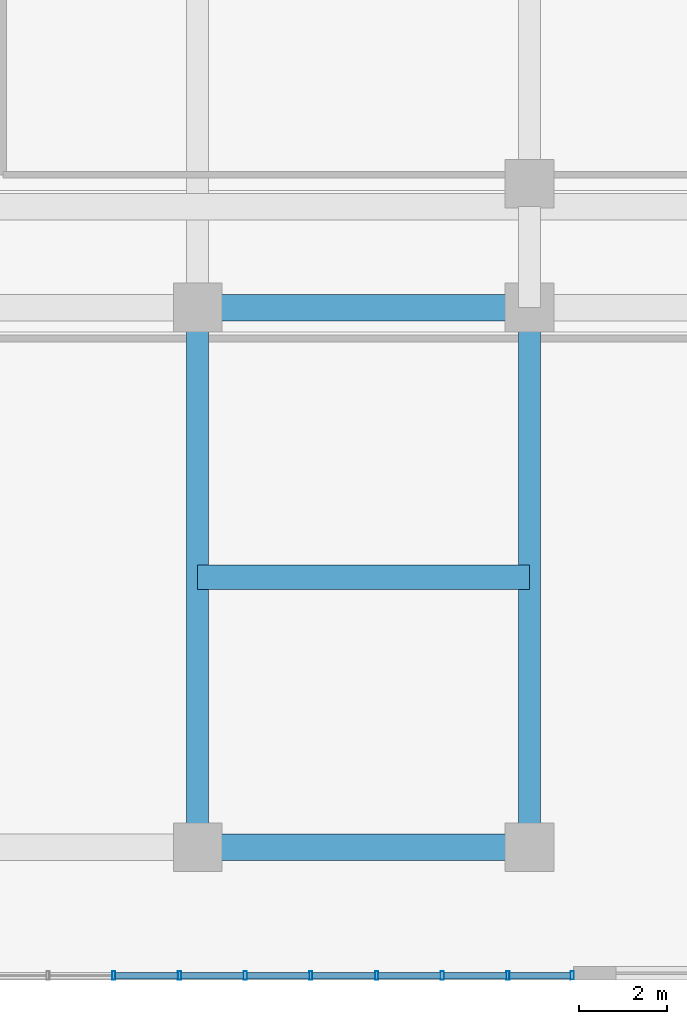
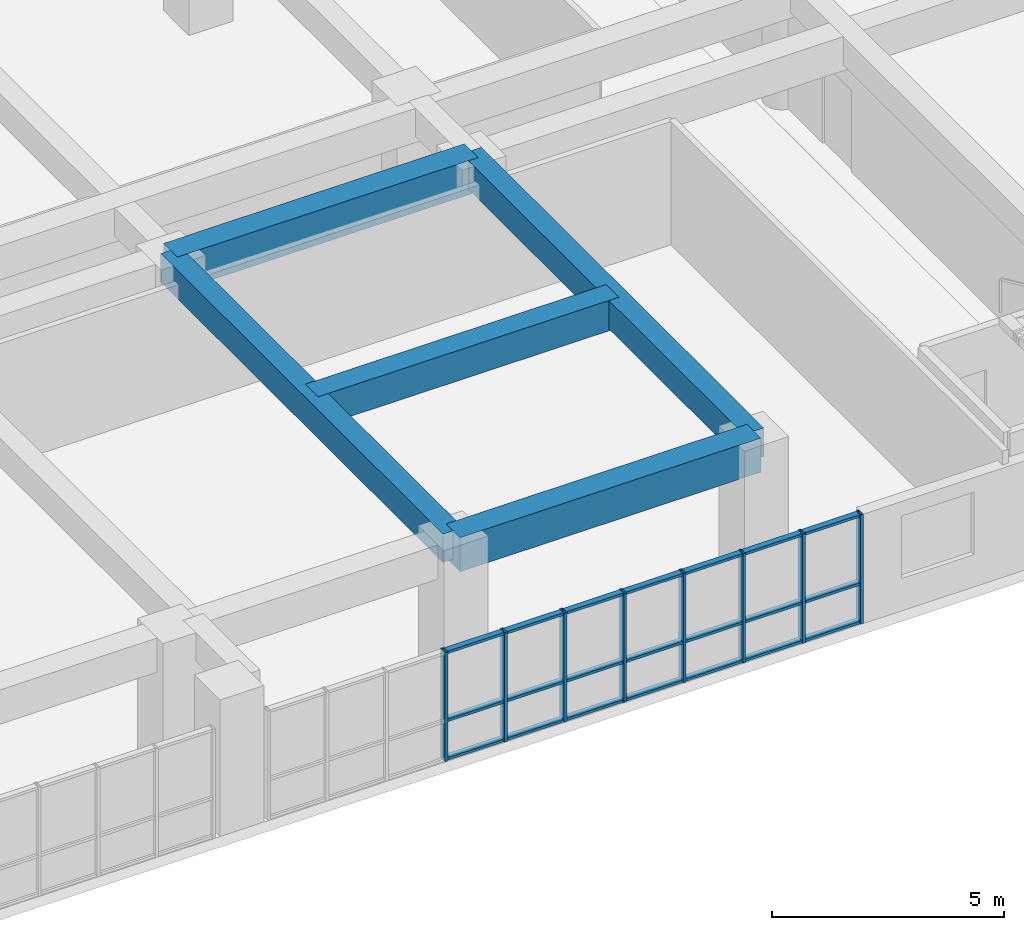
# One storey, part 8 of 30: 29 members, 5 beams, 1 element without a shape of its own.
"""IFC4 building model written with IfcOpenShell, lengths in metres."""

import ifcopenshell
import ifcopenshell.guid

model = None  # the IFC model being written
_history = None  # IfcOwnerHistory: only IFC2X3 demands one
_inside = {}  # id of a spatial element -> (the spatial element, [elements in it])
_under = {}  # id of a project, library or spatial element -> (it, [spatial elements below it])
_declared = {}  # id of a project -> (the project, [libraries it declares])
_typed = {}  # id of a type object -> (the type object, [elements of that type])
_made_of = {}  # id of a material, layer set ... -> (it, [elements and type objects made of it])


def new_model(schema):
    """Start an empty IFC model of exactly this schema.

    Asked for "IFC4X3", IfcOpenShell would pick the latest addendum, in which some entities
    have other attributes; the version numbers below select the first issue.
    IFC2X3 requires an IfcOwnerHistory on every rooted entity: one is made here for all.
    """
    global model, _history
    if schema == "IFC4X3":
        model = ifcopenshell.file(schema_version=(4, 3, 0, 0))
    else:
        model = ifcopenshell.file(schema=schema)
    _inside.clear()
    _under.clear()
    _declared.clear()
    _typed.clear()
    _made_of.clear()
    _history = None
    if model.schema == "IFC2X3":
        org = make("IfcOrganization", Name="unknown")
        user = make(
            "IfcPersonAndOrganization",
            ThePerson=make("IfcPerson", FamilyName="unknown"),
            TheOrganization=org,
        )
        app = make(
            "IfcApplication",
            ApplicationDeveloper=org,
            Version="unknown",
            ApplicationFullName="unknown",
            ApplicationIdentifier="unknown",
        )
        _history = make(
            "IfcOwnerHistory",
            OwningUser=user,
            OwningApplication=app,
            ChangeAction="ADDED",
            CreationDate=0,
        )
    return model


def make(cls, **values):
    """One entity of the class cls with the attributes given. An attribute that is None is left unset."""
    return model.create_entity(
        cls, **{name: value for name, value in values.items() if value is not None}
    )


def rooted(cls, **values):
    """An entity with a GlobalId (a new one), such as an element, a storey or a relation."""
    return make(cls, GlobalId=ifcopenshell.guid.new(), OwnerHistory=_history, **values)


def si_unit(unit_type, name, prefix=None):
    """IfcSIUnit, for example si_unit("LENGTHUNIT", "METRE", prefix="MILLI")."""
    return make("IfcSIUnit", UnitType=unit_type, Prefix=prefix, Name=name)


def assignment(units):
    """IfcUnitAssignment: the units of a project."""
    return None if units is None else make("IfcUnitAssignment", Units=units)


def point(xyz):
    """IfcCartesianPoint."""
    return None if xyz is None else make("IfcCartesianPoint", Coordinates=xyz)


def direction(xyz):
    """IfcDirection."""
    return None if xyz is None else make("IfcDirection", DirectionRatios=xyz)


def frame(location, z_axis=None, x_axis=None):
    """IfcAxis2Placement3D, a coordinate frame: its origin and axes. An axis left out is left unset."""
    return make(
        "IfcAxis2Placement3D",
        Location=point(location),
        Axis=direction(z_axis),
        RefDirection=direction(x_axis),
    )


def frame_2d(location, x_axis=None):
    """IfcAxis2Placement2D, a coordinate frame in the plane: its origin and x axis."""
    return make(
        "IfcAxis2Placement2D", Location=point(location), RefDirection=direction(x_axis)
    )


def origin():
    """The frame at (0, 0, 0) with its axes left unset."""
    return frame((0.0, 0.0, 0.0))


def origin_2d():
    """The frame at (0, 0) in the plane with its x axis left unset."""
    return frame_2d((0.0, 0.0))


def place(relative_to, where):
    """IfcLocalPlacement: puts the frame where relative to a parent placement (None: the world)."""
    return make(
        "IfcLocalPlacement", PlacementRelTo=relative_to, RelativePlacement=where
    )


def context(
    kind, dimensions, precision=None, world=None, true_north=None, identifier=None
):
    """IfcGeometricRepresentationContext, for example the 3D "Model" context."""
    return make(
        "IfcGeometricRepresentationContext",
        ContextIdentifier=identifier,
        ContextType=kind,
        CoordinateSpaceDimension=dimensions,
        Precision=precision,
        WorldCoordinateSystem=world,
        TrueNorth=true_north,
    )


def subcontext(parent, identifier, kind, view, scale=None):
    """IfcGeometricRepresentationSubContext, for example "Body" below "Model"."""
    return make(
        "IfcGeometricRepresentationSubContext",
        ContextIdentifier=identifier,
        ContextType=kind,
        ParentContext=parent,
        TargetScale=scale,
        TargetView=view,
    )


def project(units=None, contexts=None):
    """IfcProject with its units and contexts."""
    return rooted(
        "IfcProject",
        Name="project",
        RepresentationContexts=contexts,
        UnitsInContext=assignment(units),
    )


def spatial(cls, under=None, at=None, **own):
    """A site, building, storey or space (cls), placed at a placement, below another one or the project."""
    s = rooted(cls, ObjectPlacement=at, **own)
    if under is not None:
        _under.setdefault(under.id(), (under, []))[1].append(s)
    return s


def profile(cls, at=None, kind="AREA", **sizes):
    """A parametric profile (cls). Its sizes go by their IFC names, for example OverallWidth=200.0."""
    return make(cls, ProfileType=kind, Position=at, **sizes)


def rectangle(**sizes):
    """IfcRectangleProfileDef."""
    return profile("IfcRectangleProfileDef", **sizes)


def hollow_rectangle(**sizes):
    """IfcRectangleHollowProfileDef."""
    return profile("IfcRectangleHollowProfileDef", **sizes)


def extrude(swept, where, along, depth):
    """IfcExtrudedAreaSolid: the profile swept, set in the frame where, extruded along a direction by depth."""
    return make(
        "IfcExtrudedAreaSolid",
        SweptArea=swept,
        Position=where,
        ExtrudedDirection=direction(along),
        Depth=depth,
    )


def shape(context_of_items, identifier, shape_type, items):
    """IfcShapeRepresentation: the items that make up one representation, for example the "Body"."""
    return make(
        "IfcShapeRepresentation",
        ContextOfItems=context_of_items,
        RepresentationIdentifier=identifier,
        RepresentationType=shape_type,
        Items=items,
    )


def source(mapping_origin, context_of_items, identifier, shape_type, items):
    """IfcRepresentationMap: a shape defined once, which mapped items show again and again."""
    return make(
        "IfcRepresentationMap",
        MappingOrigin=mapping_origin,
        MappedRepresentation=shape(context_of_items, identifier, shape_type, items),
    )


def transform(
    local_origin,
    x_axis=None,
    y_axis=None,
    z_axis=None,
    scale=None,
    scale2=None,
    scale3=None,
    uniform=True,
):
    """IfcCartesianTransformationOperator3D, or its non-uniform kind. x_axis, y_axis, z_axis: its Axis1, 2, 3."""
    if uniform:
        return make(
            "IfcCartesianTransformationOperator3D",
            Axis1=direction(x_axis),
            Axis2=direction(y_axis),
            LocalOrigin=point(local_origin),
            Scale=scale,
            Axis3=direction(z_axis),
        )
    return make(
        "IfcCartesianTransformationOperator3DnonUniform",
        Axis1=direction(x_axis),
        Axis2=direction(y_axis),
        LocalOrigin=point(local_origin),
        Scale=scale,
        Axis3=direction(z_axis),
        Scale2=scale2,
        Scale3=scale3,
    )


def mapped(mapping_source, mapping_target):
    """IfcMappedItem: shows the shape of a source again, moved by a transform."""
    return make(
        "IfcMappedItem", MappingSource=mapping_source, MappingTarget=mapping_target
    )


def material(Name=None, Category=None):
    """IfcMaterial."""
    return make("IfcMaterial", Name=Name, Category=Category)


def layer(
    of_material, thickness, ventilated=None, Name=None, Category=None, Priority=None
):
    """IfcMaterialLayer: one layer of a wall or slab, of a material (None: an air gap)."""
    return make(
        "IfcMaterialLayer",
        Material=of_material,
        LayerThickness=thickness,
        IsVentilated=ventilated,
        Name=Name,
        Category=Category,
        Priority=Priority,
    )


def layer_set(layers, Name=None):
    """IfcMaterialLayerSet."""
    return make("IfcMaterialLayerSet", MaterialLayers=layers, LayerSetName=Name)


def material_profile(
    of_material, cross_section, Name=None, Category=None, Priority=None
):
    """IfcMaterialProfile: a cross section and its material."""
    return make(
        "IfcMaterialProfile",
        Name=Name,
        Material=of_material,
        Profile=cross_section,
        Priority=Priority,
        Category=Category,
    )


def profile_set(profiles, Name=None, composite=None):
    """IfcMaterialProfileSet."""
    return make(
        "IfcMaterialProfileSet",
        Name=Name,
        MaterialProfiles=profiles,
        CompositeProfile=composite,
    )


def made_of(thing, what):
    """Note that an element or type object is made of a material, layer set ...; save() writes the relation."""
    if what is not None:
        _made_of.setdefault(what.id(), (what, []))[1].append(thing)
    return thing


def type_object(cls, material=None, **own):
    """A type object (cls), such as IfcWallType, which elements share."""
    return made_of(rooted(cls, **own), material)


def element(
    cls,
    number,
    at=None,
    inside=None,
    cuts=None,
    type_object=None,
    material=None,
    context=None,
    identifier="Body",
    shape_type=None,
    held_by="IfcProductDefinitionShape",
    body=None,
    shapes=None,
    **own,
):
    """One element of the class cls, such as IfcWall. Its Tag is "e" and its number.

    at: its placement. inside: the storey or other place that contains it. cuts: it is an
    opening in that element (IfcRelVoidsElement). A single representation is given by context,
    identifier, shape_type and body (its items); several are given by shapes. held_by: the class
    of the entity that holds the representations. save() writes the other relations.
    """
    e = rooted(cls, Tag="e%d" % number, ObjectPlacement=at, **own)
    if body is not None:
        shapes = [shape(context, identifier, shape_type, body)]
    if shapes is not None:
        e.Representation = make(held_by, Representations=shapes)
    if inside is not None:
        _inside.setdefault(inside.id(), (inside, []))[1].append(e)
    if cuts is not None:
        rooted(
            "IfcRelVoidsElement", RelatingBuildingElement=cuts, RelatedOpeningElement=e
        )
    if type_object is not None:
        _typed.setdefault(type_object.id(), (type_object, []))[1].append(e)
    return made_of(e, material)


def aggregate(whole, parts):
    """IfcRelAggregates: a whole, such as a stair, and the parts it consists of."""
    return rooted("IfcRelAggregates", RelatingObject=whole, RelatedObjects=parts)


def save(model, path):
    """Write the relations noted so far, then the file.

    IfcRelAggregates (storeys below a building ...), IfcRelContainedInSpatialStructure (elements
    in a storey), IfcRelDefinesByType, IfcRelAssociatesMaterial and IfcRelDeclares: one each for
    every whole, place, type object, material and project.
    """
    for whole, parts in _under.values():
        aggregate(whole, parts)
    for where, things in _inside.values():
        rooted(
            "IfcRelContainedInSpatialStructure",
            RelatedElements=things,
            RelatingStructure=where,
        )
    for kind, things in _typed.values():
        rooted("IfcRelDefinesByType", RelatedObjects=things, RelatingType=kind)
    for what, things in _made_of.values():
        rooted("IfcRelAssociatesMaterial", RelatedObjects=things, RelatingMaterial=what)
    for by, libraries in _declared.values():
        rooted("IfcRelDeclares", RelatingContext=by, RelatedDefinitions=libraries)
    model.write(path)


model = new_model("IFC4")

# Units and contexts
model_context = context("Model", 3, precision=1e-05, world=origin(), true_north=direction((0.0, 1.0)))
body_context = subcontext(model_context, "Body", "Model", "MODEL_VIEW")
ifc_project = project(units=[si_unit("LENGTHUNIT", "METRE"), si_unit("AREAUNIT", "SQUARE_METRE"), si_unit("VOLUMEUNIT", "CUBIC_METRE"), si_unit("PLANEANGLEUNIT", "RADIAN"), si_unit("MASSUNIT", "GRAM", prefix="KILO")], contexts=[model_context])

# Site, building, storey
site_placement = place(None, origin())
site = spatial("IfcSite", under=ifc_project, at=site_placement, CompositionType="ELEMENT")
building_placement = place(site_placement, origin())
building = spatial("IfcBuilding", under=site, at=building_placement, Name="Saelheon Loggia Tower", CompositionType="ELEMENT")
storey_placement = place(building_placement, frame((0.0, 0.0, 11.39990234375)))
storey = spatial("IfcBuildingStorey", under=building, at=storey_placement, Name="L03", CompositionType="ELEMENT", Elevation=11.39990234375)

# Beams
ifc_material_1 = material(Name="Concrete C50/60", Category="concrete")
ifc_material_profile_1 = material_profile(ifc_material_1, rectangle(XDim=0.60009765625, YDim=0.89990234375, at=origin_2d()), Name="RC-600x900")
ifc_profile_set_1 = profile_set([ifc_material_profile_1], Name="Concrete C50/60")
beam_type_1 = type_object("IfcBeamType", Name="Beam_MainGirder_RC600x900", PredefinedType="BEAM", material=ifc_profile_set_1)
shared_shape_1 = source(origin(), body_context, "Body", "SweptSolid", [
    extrude(rectangle(XDim=0.60009765625, YDim=0.89990234375, at=origin_2d()), origin(), (0.0, 0.0, 1.0), 7.5),
])
for number, where, z_axis, x_axis, name in (
    (1, (51.5, 3.0, 3.150146484375), (1.0, 0.0, 0.0), (0.0, 1.0, 0.0), "BM-L03-EW-3-7"),
    (2, (51.5, 15.199951171875, 3.150146484375), (1.0, 0.0, 0.0), (0.0, 1.0, 0.0), "BM-L03-EW-15-7"),
):
    element("IfcBeam", number, at=place(storey_placement, frame(where, z_axis=z_axis, x_axis=x_axis)), inside=storey, type_object=beam_type_1, Name=name, PredefinedType="BEAM", context=body_context, shape_type="MappedRepresentation", body=[
        mapped(shared_shape_1, transform((0.0, 0.0, 0.0), scale=1.0)),
    ])
ifc_material_2 = material(Name="Concrete C45/55", Category="concrete")
ifc_material_profile_2 = material_profile(ifc_material_2, rectangle(XDim=0.5, YDim=0.75, at=origin_2d()), Name="RC-500x750")
ifc_profile_set_2 = profile_set([ifc_material_profile_2], Name="Concrete C45/55")
beam_type_2 = type_object("IfcBeamType", Name="Beam_FloorGirder_RC500x750", PredefinedType="BEAM", material=ifc_profile_set_2)
shared_shape_2 = source(origin(), body_context, "Body", "SweptSolid", [
    extrude(rectangle(XDim=0.5, YDim=0.75, at=origin_2d()), origin(), (0.0, 0.0, 1.0), 12.199951171875),
])
for number, where, z_axis, x_axis, name in (
    (3, (51.5, 3.0, 3.22509765625), (0.0, 1.0, 0.0), (-1.0, 0.0, 0.0), "BM-L03-NS-51-1"),
    (4, (59.0, 3.0, 3.22509765625), (0.0, 1.0, 0.0), (-1.0, 0.0, 0.0), "BM-L03-NS-59-1"),
):
    element("IfcBeam", number, at=place(storey_placement, frame(where, z_axis=z_axis, x_axis=x_axis)), inside=storey, type_object=beam_type_2, Name=name, PredefinedType="BEAM", context=body_context, shape_type="MappedRepresentation", body=[
        mapped(shared_shape_2, transform((0.0, 0.0, 0.0), scale=1.0)),
    ])
ifc_material_profile_3 = material_profile(ifc_material_2, rectangle(XDim=0.550048828125, YDim=0.800048828125, at=origin_2d()), Name="RC-550x800")
ifc_profile_set_3 = profile_set([ifc_material_profile_3], Name="Concrete C45/55")
beam_type_3 = type_object("IfcBeamType", Name="Beam_ClinicGirder_RC550x800", PredefinedType="BEAM", material=ifc_profile_set_3)
shared_shape_3 = source(origin(), body_context, "Body", "SweptSolid", [
    extrude(rectangle(XDim=0.550048828125, YDim=0.800048828125, at=origin_2d()), origin(), (0.0, 0.0, 1.0), 7.5),
])
beam_placement = place(storey_placement, frame((51.5, 9.10009765625, 3.2001953125), z_axis=(1.0, 0.0, 0.0), x_axis=(0.0, 1.0, 0.0)))
element("IfcBeam", 5, at=beam_placement, inside=storey, type_object=beam_type_3, Name="JST-L03-CL-SE", PredefinedType="BEAM", context=body_context, shape_type="MappedRepresentation", body=[
    mapped(shared_shape_3, transform((0.0, 0.0, 0.0), scale=1.0)),
])

# Curtain wall, members
ifc_material_3 = material(Name="Aluminium 6063-T6 and Low-E IGU", Category="aluminium")
ifc_layer = layer(ifc_material_3, 0.179931640625)
ifc_layer_set = layer_set([ifc_layer], Name="Aluminium 6063-T6 and Low-E IGU")
curtain_wall_type = type_object("IfcCurtainWallType", Name="CW_PodiumClinic", PredefinedType="NOTDEFINED", material=ifc_layer_set)
curtain_wall_placement = place(storey_placement, origin())
curtain_wall = element("IfcCurtainWall", 6, at=curtain_wall_placement, inside=storey, type_object=curtain_wall_type, Name="L03 South Clinic Curtain Wall 3", PredefinedType="NOTDEFINED")
ifc_material_4 = material(Name="Anodised Aluminium 6063-T6", Category="aluminium")
ifc_material_profile_4 = material_profile(ifc_material_4, hollow_rectangle(XDim=0.070068359375, YDim=0.199951171875, WallThickness=0.0048828125, at=origin_2d()), Name="RHS-200x70x5")
ifc_profile_set_4 = profile_set([ifc_material_profile_4], Name="Anodised Aluminium 6063-T6")
member_type_1 = type_object("IfcMemberType", Name="CW_PodiumClinic_Mullion", PredefinedType="MULLION", material=ifc_profile_set_4)
shared_shape_4 = source(origin(), body_context, "Body", "SweptSolid", [
    extrude(hollow_rectangle(XDim=0.070068359375, YDim=0.199951171875, WallThickness=0.0048828125, at=origin_2d()), origin(), (0.0, 0.0, 1.0), 2.880126953125),
])
member_1_placement = place(storey_placement, frame((49.60498046875, 0.10009765625, 0.0), z_axis=(0.0, 0.0, 1.0), x_axis=(1.0, 0.0, 0.0)))
member_1 = element("IfcMember", 7, at=member_1_placement, type_object=member_type_1, Name="CW1 mullion 4", PredefinedType="MULLION", context=body_context, shape_type="MappedRepresentation", body=[
    mapped(shared_shape_4, transform((0.0, 0.0, 0.0), scale=1.0)),
])
member_2_placement = place(storey_placement, frame((51.090087890625, 0.10009765625, 0.0), z_axis=(0.0, 0.0, 1.0), x_axis=(1.0, 0.0, 0.0)))
member_2 = element("IfcMember", 8, at=member_2_placement, type_object=member_type_1, Name="CW1 mullion 5", PredefinedType="MULLION", context=body_context, shape_type="MappedRepresentation", body=[
    mapped(shared_shape_4, transform((0.0, 0.0, 0.0), scale=1.0)),
])
member_3_placement = place(storey_placement, frame((52.574951171875, 0.10009765625, 0.0), z_axis=(0.0, 0.0, 1.0), x_axis=(1.0, 0.0, 0.0)))
member_3 = element("IfcMember", 9, at=member_3_placement, type_object=member_type_1, Name="CW1 mullion 6", PredefinedType="MULLION", context=body_context, shape_type="MappedRepresentation", body=[
    mapped(shared_shape_4, transform((0.0, 0.0, 0.0), scale=1.0)),
])
member_4_placement = place(storey_placement, frame((54.06005859375, 0.10009765625, 0.0), z_axis=(0.0, 0.0, 1.0), x_axis=(1.0, 0.0, 0.0)))
member_4 = element("IfcMember", 10, at=member_4_placement, type_object=member_type_1, Name="CW1 mullion 7", PredefinedType="MULLION", context=body_context, shape_type="MappedRepresentation", body=[
    mapped(shared_shape_4, transform((0.0, 0.0, 0.0), scale=1.0)),
])
member_5_placement = place(storey_placement, frame((55.544921875, 0.10009765625, 0.0), z_axis=(0.0, 0.0, 1.0), x_axis=(1.0, 0.0, 0.0)))
member_5 = element("IfcMember", 11, at=member_5_placement, type_object=member_type_1, Name="CW1 mullion 8", PredefinedType="MULLION", context=body_context, shape_type="MappedRepresentation", body=[
    mapped(shared_shape_4, transform((0.0, 0.0, 0.0), scale=1.0)),
])
member_6_placement = place(storey_placement, frame((57.030029296875, 0.10009765625, 0.0), z_axis=(0.0, 0.0, 1.0), x_axis=(1.0, 0.0, 0.0)))
member_6 = element("IfcMember", 12, at=member_6_placement, type_object=member_type_1, Name="CW1 mullion 9", PredefinedType="MULLION", context=body_context, shape_type="MappedRepresentation", body=[
    mapped(shared_shape_4, transform((0.0, 0.0, 0.0), scale=1.0)),
])
member_7_placement = place(storey_placement, frame((58.514892578125, 0.10009765625, 0.0), z_axis=(0.0, 0.0, 1.0), x_axis=(1.0, 0.0, 0.0)))
member_7 = element("IfcMember", 13, at=member_7_placement, type_object=member_type_1, Name="CW1 mullion 10", PredefinedType="MULLION", context=body_context, shape_type="MappedRepresentation", body=[
    mapped(shared_shape_4, transform((0.0, 0.0, 0.0), scale=1.0)),
])
member_8_placement = place(storey_placement, frame((59.965087890625, 0.10009765625, 0.0), z_axis=(0.0, 0.0, 1.0), x_axis=(1.0, 0.0, 0.0)))
member_8 = element("IfcMember", 14, at=member_8_placement, type_object=member_type_1, Name="CW1 mullion 11", PredefinedType="MULLION", context=body_context, shape_type="MappedRepresentation", body=[
    mapped(shared_shape_4, transform((0.0, 0.0, 0.0), scale=1.0)),
])
ifc_material_profile_5 = material_profile(ifc_material_4, hollow_rectangle(XDim=0.070068359375, YDim=0.14990234375, WallThickness=0.0048828125, at=origin_2d()), Name="RHS-150x70x5")
ifc_profile_set_5 = profile_set([ifc_material_profile_5], Name="Anodised Aluminium 6063-T6")
member_type_2 = type_object("IfcMemberType", Name="CW_PodiumClinic_Transom", PredefinedType="USERDEFINED", material=ifc_profile_set_5)
shared_shape_5 = source(origin(), body_context, "Body", "SweptSolid", [
    extrude(hollow_rectangle(XDim=0.070068359375, YDim=0.14990234375, WallThickness=0.0048828125, at=origin_2d()), origin(), (0.0, 0.0, 1.0), 1.3798828125),
])
member_9_placement = place(storey_placement, frame((58.550048828125, 0.10009765625, 0.03515625), z_axis=(1.0, 0.0, 0.0), x_axis=(0.0, 0.0, 1.0)))
member_9 = element("IfcMember", 15, at=member_9_placement, type_object=member_type_2, Name="CW1 transom 10.1", ObjectType="TRANSOM", PredefinedType="USERDEFINED", context=body_context, shape_type="MappedRepresentation", body=[
    mapped(shared_shape_5, transform((0.0, 0.0, 0.0), scale=1.0)),
])
member_10_placement = place(storey_placement, frame((58.550048828125, 0.10009765625, 1.050048828125), z_axis=(1.0, 0.0, 0.0), x_axis=(0.0, 0.0, 1.0)))
member_10 = element("IfcMember", 16, at=member_10_placement, type_object=member_type_2, Name="CW1 transom 10.2", ObjectType="TRANSOM", PredefinedType="USERDEFINED", context=body_context, shape_type="MappedRepresentation", body=[
    mapped(shared_shape_5, transform((0.0, 0.0, 0.0), scale=1.0)),
])
member_11_placement = place(storey_placement, frame((58.550048828125, 0.10009765625, 2.84521484375), z_axis=(1.0, 0.0, 0.0), x_axis=(0.0, 0.0, 1.0)))
member_11 = element("IfcMember", 17, at=member_11_placement, type_object=member_type_2, Name="CW1 transom 10.3", ObjectType="TRANSOM", PredefinedType="USERDEFINED", context=body_context, shape_type="MappedRepresentation", body=[
    mapped(shared_shape_5, transform((0.0, 0.0, 0.0), scale=1.0)),
])
shared_shape_6 = source(origin(), body_context, "Body", "SweptSolid", [
    extrude(hollow_rectangle(XDim=0.070068359375, YDim=0.14990234375, WallThickness=0.0048828125, at=origin_2d()), origin(), (0.0, 0.0, 1.0), 1.4150390625),
])
member_12_placement = place(storey_placement, frame((49.639892578125, 0.10009765625, 0.03515625), z_axis=(1.0, 0.0, 0.0), x_axis=(0.0, 0.0, 1.0)))
member_12 = element("IfcMember", 18, at=member_12_placement, type_object=member_type_2, Name="CW1 transom 4.1", ObjectType="TRANSOM", PredefinedType="USERDEFINED", context=body_context, shape_type="MappedRepresentation", body=[
    mapped(shared_shape_6, transform((0.0, 0.0, 0.0), scale=1.0)),
])
member_13_placement = place(storey_placement, frame((49.639892578125, 0.10009765625, 1.050048828125), z_axis=(1.0, 0.0, 0.0), x_axis=(0.0, 0.0, 1.0)))
member_13 = element("IfcMember", 19, at=member_13_placement, type_object=member_type_2, Name="CW1 transom 4.2", ObjectType="TRANSOM", PredefinedType="USERDEFINED", context=body_context, shape_type="MappedRepresentation", body=[
    mapped(shared_shape_6, transform((0.0, 0.0, 0.0), scale=1.0)),
])
member_14_placement = place(storey_placement, frame((49.639892578125, 0.10009765625, 2.84521484375), z_axis=(1.0, 0.0, 0.0), x_axis=(0.0, 0.0, 1.0)))
member_14 = element("IfcMember", 20, at=member_14_placement, type_object=member_type_2, Name="CW1 transom 4.3", ObjectType="TRANSOM", PredefinedType="USERDEFINED", context=body_context, shape_type="MappedRepresentation", body=[
    mapped(shared_shape_6, transform((0.0, 0.0, 0.0), scale=1.0)),
])
member_15_placement = place(storey_placement, frame((51.125, 0.10009765625, 0.03515625), z_axis=(1.0, 0.0, 0.0), x_axis=(0.0, 0.0, 1.0)))
member_15 = element("IfcMember", 21, at=member_15_placement, type_object=member_type_2, Name="CW1 transom 5.1", ObjectType="TRANSOM", PredefinedType="USERDEFINED", context=body_context, shape_type="MappedRepresentation", body=[
    mapped(shared_shape_6, transform((0.0, 0.0, 0.0), scale=1.0)),
])
member_16_placement = place(storey_placement, frame((51.125, 0.10009765625, 1.050048828125), z_axis=(1.0, 0.0, 0.0), x_axis=(0.0, 0.0, 1.0)))
member_16 = element("IfcMember", 22, at=member_16_placement, type_object=member_type_2, Name="CW1 transom 5.2", ObjectType="TRANSOM", PredefinedType="USERDEFINED", context=body_context, shape_type="MappedRepresentation", body=[
    mapped(shared_shape_6, transform((0.0, 0.0, 0.0), scale=1.0)),
])
member_17_placement = place(storey_placement, frame((51.125, 0.10009765625, 2.84521484375), z_axis=(1.0, 0.0, 0.0), x_axis=(0.0, 0.0, 1.0)))
member_17 = element("IfcMember", 23, at=member_17_placement, type_object=member_type_2, Name="CW1 transom 5.3", ObjectType="TRANSOM", PredefinedType="USERDEFINED", context=body_context, shape_type="MappedRepresentation", body=[
    mapped(shared_shape_6, transform((0.0, 0.0, 0.0), scale=1.0)),
])
member_18_placement = place(storey_placement, frame((54.094970703125, 0.10009765625, 0.03515625), z_axis=(1.0, 0.0, 0.0), x_axis=(0.0, 0.0, 1.0)))
member_18 = element("IfcMember", 24, at=member_18_placement, type_object=member_type_2, Name="CW1 transom 7.1", ObjectType="TRANSOM", PredefinedType="USERDEFINED", context=body_context, shape_type="MappedRepresentation", body=[
    mapped(shared_shape_6, transform((0.0, 0.0, 0.0), scale=1.0)),
])
member_19_placement = place(storey_placement, frame((54.094970703125, 0.10009765625, 1.050048828125), z_axis=(1.0, 0.0, 0.0), x_axis=(0.0, 0.0, 1.0)))
member_19 = element("IfcMember", 25, at=member_19_placement, type_object=member_type_2, Name="CW1 transom 7.2", ObjectType="TRANSOM", PredefinedType="USERDEFINED", context=body_context, shape_type="MappedRepresentation", body=[
    mapped(shared_shape_6, transform((0.0, 0.0, 0.0), scale=1.0)),
])
member_20_placement = place(storey_placement, frame((54.094970703125, 0.10009765625, 2.84521484375), z_axis=(1.0, 0.0, 0.0), x_axis=(0.0, 0.0, 1.0)))
member_20 = element("IfcMember", 26, at=member_20_placement, type_object=member_type_2, Name="CW1 transom 7.3", ObjectType="TRANSOM", PredefinedType="USERDEFINED", context=body_context, shape_type="MappedRepresentation", body=[
    mapped(shared_shape_6, transform((0.0, 0.0, 0.0), scale=1.0)),
])
member_21_placement = place(storey_placement, frame((55.580078125, 0.10009765625, 0.03515625), z_axis=(1.0, 0.0, 0.0), x_axis=(0.0, 0.0, 1.0)))
member_21 = element("IfcMember", 27, at=member_21_placement, type_object=member_type_2, Name="CW1 transom 8.1", ObjectType="TRANSOM", PredefinedType="USERDEFINED", context=body_context, shape_type="MappedRepresentation", body=[
    mapped(shared_shape_6, transform((0.0, 0.0, 0.0), scale=1.0)),
])
member_22_placement = place(storey_placement, frame((55.580078125, 0.10009765625, 1.050048828125), z_axis=(1.0, 0.0, 0.0), x_axis=(0.0, 0.0, 1.0)))
member_22 = element("IfcMember", 28, at=member_22_placement, type_object=member_type_2, Name="CW1 transom 8.2", ObjectType="TRANSOM", PredefinedType="USERDEFINED", context=body_context, shape_type="MappedRepresentation", body=[
    mapped(shared_shape_6, transform((0.0, 0.0, 0.0), scale=1.0)),
])
member_23_placement = place(storey_placement, frame((55.580078125, 0.10009765625, 2.84521484375), z_axis=(1.0, 0.0, 0.0), x_axis=(0.0, 0.0, 1.0)))
member_23 = element("IfcMember", 29, at=member_23_placement, type_object=member_type_2, Name="CW1 transom 8.3", ObjectType="TRANSOM", PredefinedType="USERDEFINED", context=body_context, shape_type="MappedRepresentation", body=[
    mapped(shared_shape_6, transform((0.0, 0.0, 0.0), scale=1.0)),
])
member_24_placement = place(storey_placement, frame((57.06494140625, 0.10009765625, 0.03515625), z_axis=(1.0, 0.0, 0.0), x_axis=(0.0, 0.0, 1.0)))
member_24 = element("IfcMember", 30, at=member_24_placement, type_object=member_type_2, Name="CW1 transom 9.1", ObjectType="TRANSOM", PredefinedType="USERDEFINED", context=body_context, shape_type="MappedRepresentation", body=[
    mapped(shared_shape_6, transform((0.0, 0.0, 0.0), scale=1.0)),
])
member_25_placement = place(storey_placement, frame((57.06494140625, 0.10009765625, 1.050048828125), z_axis=(1.0, 0.0, 0.0), x_axis=(0.0, 0.0, 1.0)))
member_25 = element("IfcMember", 31, at=member_25_placement, type_object=member_type_2, Name="CW1 transom 9.2", ObjectType="TRANSOM", PredefinedType="USERDEFINED", context=body_context, shape_type="MappedRepresentation", body=[
    mapped(shared_shape_6, transform((0.0, 0.0, 0.0), scale=1.0)),
])
member_26_placement = place(storey_placement, frame((57.06494140625, 0.10009765625, 2.84521484375), z_axis=(1.0, 0.0, 0.0), x_axis=(0.0, 0.0, 1.0)))
member_26 = element("IfcMember", 32, at=member_26_placement, type_object=member_type_2, Name="CW1 transom 9.3", ObjectType="TRANSOM", PredefinedType="USERDEFINED", context=body_context, shape_type="MappedRepresentation", body=[
    mapped(shared_shape_6, transform((0.0, 0.0, 0.0), scale=1.0)),
])
shared_shape_7 = source(origin(), body_context, "Body", "SweptSolid", [
    extrude(hollow_rectangle(XDim=0.070068359375, YDim=0.14990234375, WallThickness=0.0048828125, at=origin_2d()), origin(), (0.0, 0.0, 1.0), 1.414794921875),
])
member_27_placement = place(storey_placement, frame((52.610107421875, 0.10009765625, 0.03515625), z_axis=(1.0, 0.0, 0.0), x_axis=(0.0, 0.0, 1.0)))
member_27 = element("IfcMember", 33, at=member_27_placement, type_object=member_type_2, Name="CW1 transom 6.1", ObjectType="TRANSOM", PredefinedType="USERDEFINED", context=body_context, shape_type="MappedRepresentation", body=[
    mapped(shared_shape_7, transform((0.0, 0.0, 0.0), scale=1.0)),
])
member_28_placement = place(storey_placement, frame((52.610107421875, 0.10009765625, 1.050048828125), z_axis=(1.0, 0.0, 0.0), x_axis=(0.0, 0.0, 1.0)))
member_28 = element("IfcMember", 34, at=member_28_placement, type_object=member_type_2, Name="CW1 transom 6.2", ObjectType="TRANSOM", PredefinedType="USERDEFINED", context=body_context, shape_type="MappedRepresentation", body=[
    mapped(shared_shape_7, transform((0.0, 0.0, 0.0), scale=1.0)),
])
member_29_placement = place(storey_placement, frame((52.610107421875, 0.10009765625, 2.84521484375), z_axis=(1.0, 0.0, 0.0), x_axis=(0.0, 0.0, 1.0)))
member_29 = element("IfcMember", 35, at=member_29_placement, type_object=member_type_2, Name="CW1 transom 6.3", ObjectType="TRANSOM", PredefinedType="USERDEFINED", context=body_context, shape_type="MappedRepresentation", body=[
    mapped(shared_shape_7, transform((0.0, 0.0, 0.0), scale=1.0)),
])
aggregate(curtain_wall, [member_1, member_2, member_3, member_4, member_5, member_6, member_7, member_8, member_12, member_13, member_14, member_15, member_16, member_17, member_27, member_28, member_29, member_18, member_19, member_20, member_21, member_22, member_23, member_24, member_25, member_26, member_9, member_10, member_11])

save(model, "model.ifc")
